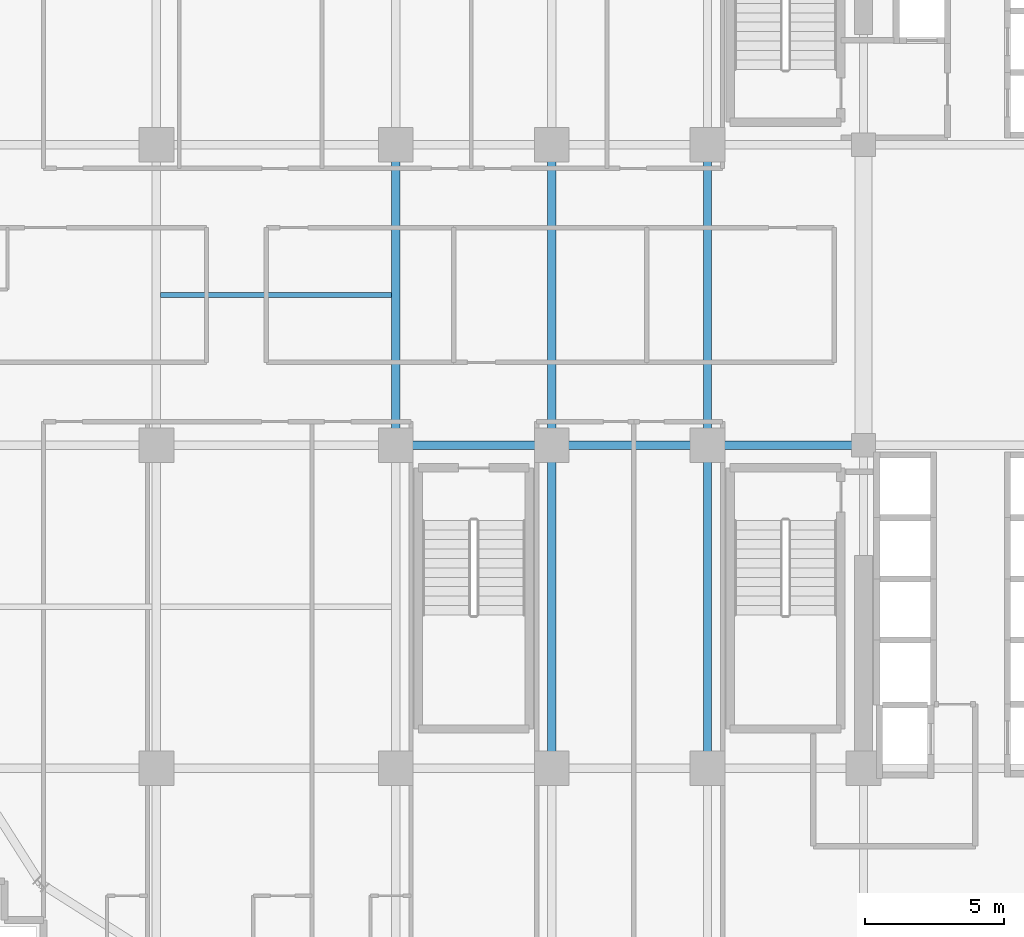
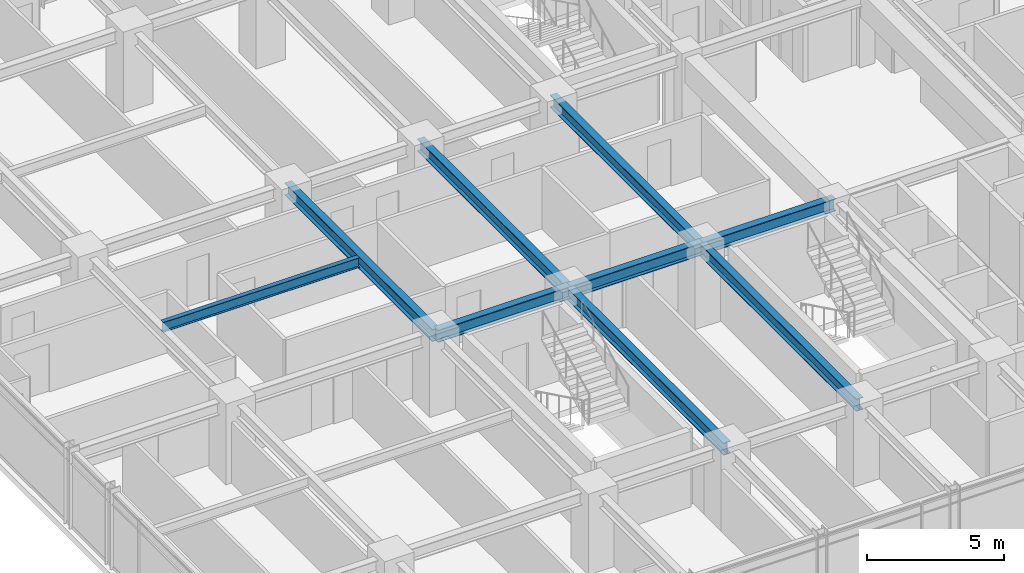
# One storey, part 10 of 32: 9 beams.
"""IFC4 building model written with IfcOpenShell, lengths in metres."""

from ifc_helpers import new_model, si_unit, direction, frame, origin, origin_2d, place, context, subcontext, project, spatial, i_section, extrude, source, transform, mapped, material, material_profile, profile_set, type_object, element, save


model = new_model("IFC4")

# Units and contexts
model_context = context("Model", 3, precision=1e-05, world=origin(), true_north=direction((0.0, 1.0)))
body_context = subcontext(model_context, "Body", "Model", "MODEL_VIEW")
ifc_project = project(units=[si_unit("LENGTHUNIT", "METRE"), si_unit("AREAUNIT", "SQUARE_METRE"), si_unit("VOLUMEUNIT", "CUBIC_METRE"), si_unit("PLANEANGLEUNIT", "RADIAN"), si_unit("MASSUNIT", "GRAM", prefix="KILO")], contexts=[model_context])

# Site, building, storey
site_placement = place(None, origin())
site = spatial("IfcSite", under=ifc_project, at=site_placement, CompositionType="ELEMENT")
building_placement = place(site_placement, origin())
building = spatial("IfcBuilding", under=site, at=building_placement, Name="Nahalor Promenade Grand Hotel", CompositionType="ELEMENT")
storey_placement = place(building_placement, frame((0.0, 0.0, 102.89990234375)))
storey = spatial("IfcBuildingStorey", under=building, at=storey_placement, Name="L25", CompositionType="ELEMENT", Elevation=102.89990234375)

# Beams
ifc_material = material(Name="Steel S355JR", Category="steel")
ifc_material_profile_1 = material_profile(ifc_material, i_section(OverallWidth=0.3, OverallDepth=0.55, WebThickness=0.015, FlangeThickness=0.029, at=origin_2d()), Name="HEB 550")
ifc_profile_set_1 = profile_set([ifc_material_profile_1], Name="Steel S355JR")
beam_type_1 = type_object("IfcBeamType", Name="Beam-Girder-HEB550", PredefinedType="BEAM", material=ifc_profile_set_1)
shared_shape_1 = source(origin(), body_context, "Body", "SweptSolid", [
    extrude(i_section(OverallWidth=0.3, OverallDepth=0.55, WebThickness=0.015, FlangeThickness=0.029, at=origin_2d()), origin(), (0.0, 0.0, 1.0), 5.599853515625),
])
for number, where, z_axis, x_axis, name in (
    (1, (-8.39990234375, -5.39990234375, 3.10498046875), (1.0, 0.0, 0.0), (0.0, 1.0, 0.0), "BM-L25-GX-1-2"),
    (2, (2.800048828125, -5.39990234375, 3.10498046875), (1.0, 0.0, 0.0), (0.0, 1.0, 0.0), "BM-L25-GX-1-4"),
):
    element("IfcBeam", number, at=place(storey_placement, frame(where, z_axis=z_axis, x_axis=x_axis)), inside=storey, type_object=beam_type_1, Name=name, PredefinedType="BEAM", context=body_context, shape_type="MappedRepresentation", body=[
        mapped(shared_shape_1, transform((0.0, 0.0, 0.0), scale=1.0)),
    ])
shared_shape_2 = source(origin(), body_context, "Body", "SweptSolid", [
    extrude(i_section(OverallWidth=0.3, OverallDepth=0.55, WebThickness=0.015, FlangeThickness=0.029, at=origin_2d()), origin(), (0.0, 0.0, 1.0), 5.60009765625),
])
beam_1_placement = place(storey_placement, frame((-2.800048828125, -5.39990234375, 3.10498046875), z_axis=(1.0, 0.0, 0.0), x_axis=(0.0, 1.0, 0.0)))
element("IfcBeam", 3, at=beam_1_placement, inside=storey, type_object=beam_type_1, Name="BM-L25-GX-1-3", PredefinedType="BEAM", context=body_context, shape_type="MappedRepresentation", body=[
    mapped(shared_shape_2, transform((0.0, 0.0, 0.0), scale=1.0)),
])
shared_shape_3 = source(origin(), body_context, "Body", "SweptSolid", [
    extrude(i_section(OverallWidth=0.3, OverallDepth=0.55, WebThickness=0.015, FlangeThickness=0.029, at=origin_2d()), origin(), (0.0, 0.0, 1.0), 11.60009765625),
])
for number, where, z_axis, x_axis, name in (
    (4, (-2.800048828125, -17.0, 3.10498046875), (0.0, 1.0, 0.0), (-1.0, 0.0, 0.0), "BM-L25-GY-2-1"),
    (5, (2.800048828125, -17.0, 3.10498046875), (0.0, 1.0, 0.0), (-1.0, 0.0, 0.0), "BM-L25-GY-3-1"),
):
    element("IfcBeam", number, at=place(storey_placement, frame(where, z_axis=z_axis, x_axis=x_axis)), inside=storey, type_object=beam_type_1, Name=name, PredefinedType="BEAM", context=body_context, shape_type="MappedRepresentation", body=[
        mapped(shared_shape_3, transform((0.0, 0.0, 0.0), scale=1.0)),
    ])
shared_shape_4 = source(origin(), body_context, "Body", "SweptSolid", [
    extrude(i_section(OverallWidth=0.3, OverallDepth=0.55, WebThickness=0.015, FlangeThickness=0.029, at=origin_2d()), origin(), (0.0, 0.0, 1.0), 10.7998046875),
])
for number, where, z_axis, x_axis, name in (
    (6, (-8.39990234375, -5.39990234375, 3.10498046875), (0.0, 1.0, 0.0), (-1.0, 0.0, 0.0), "BM-L25-GY-1-2"),
    (7, (-2.800048828125, -5.39990234375, 3.10498046875), (0.0, 1.0, 0.0), (-1.0, 0.0, 0.0), "BM-L25-GY-2-2"),
    (8, (2.800048828125, -5.39990234375, 3.10498046875), (0.0, 1.0, 0.0), (-1.0, 0.0, 0.0), "BM-L25-GY-3-2"),
):
    element("IfcBeam", number, at=place(storey_placement, frame(where, z_axis=z_axis, x_axis=x_axis)), inside=storey, type_object=beam_type_1, Name=name, PredefinedType="BEAM", context=body_context, shape_type="MappedRepresentation", body=[
        mapped(shared_shape_4, transform((0.0, 0.0, 0.0), scale=1.0)),
    ])
ifc_material_profile_2 = material_profile(ifc_material, i_section(OverallWidth=0.19, OverallDepth=0.45, WebThickness=0.0094, FlangeThickness=0.0146, at=origin_2d()), Name="IPE 450")
ifc_profile_set_2 = profile_set([ifc_material_profile_2], Name="Steel S355JR")
beam_type_2 = type_object("IfcBeamType", Name="Beam-Joist-IPE450", PredefinedType="JOIST", material=ifc_profile_set_2)
shared_shape_5 = source(origin(), body_context, "Body", "SweptSolid", [
    extrude(i_section(OverallWidth=0.19, OverallDepth=0.45, WebThickness=0.0094, FlangeThickness=0.0146, at=origin_2d()), origin(), (0.0, 0.0, 1.0), 8.300048828125),
])
beam_2_placement = place(storey_placement, frame((-16.85009765625, 0.0, 3.155029296875), z_axis=(1.0, 0.0, 0.0), x_axis=(0.0, 1.0, 0.0)))
element("IfcBeam", 9, at=beam_2_placement, inside=storey, type_object=beam_type_2, Name="BM-L25-JSC-0", PredefinedType="JOIST", context=body_context, shape_type="MappedRepresentation", body=[
    mapped(shared_shape_5, transform((0.0, 0.0, 0.0), scale=1.0)),
])

save(model, "model.ifc")
